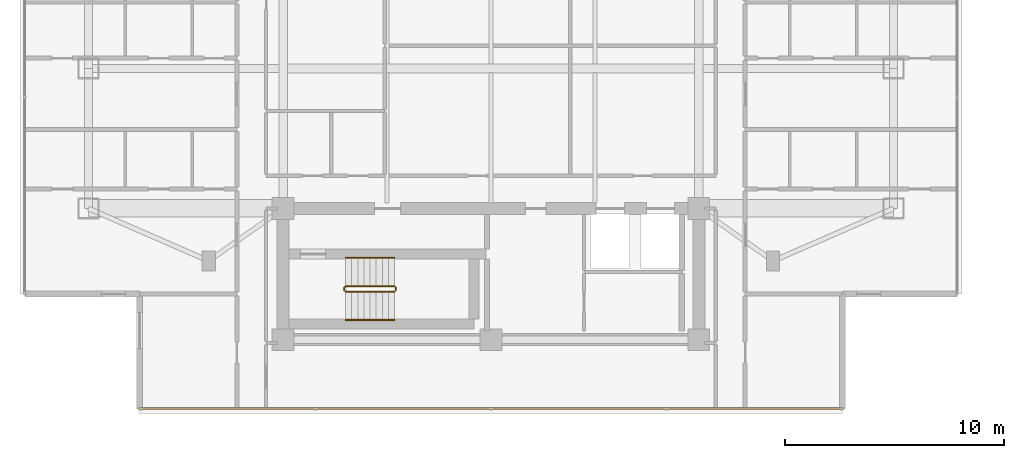
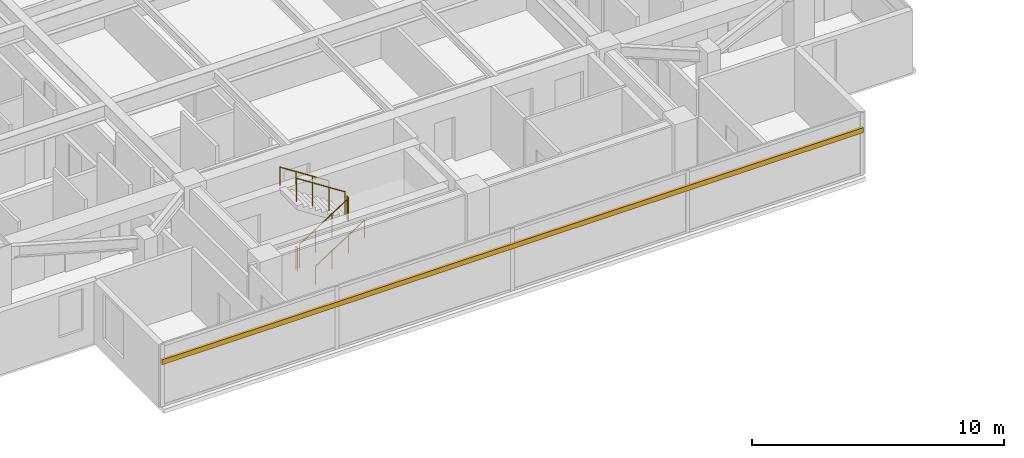
# One storey, part 20 of 25: 6 railings, 1 shading device.
"""IFC4 building model written with IfcOpenShell, lengths in metres."""

from ifc_helpers import new_model, si_unit, direction, frame, origin, origin_2d, place, context, subcontext, project, spatial, rectangle, circle, extrude, material, material_profile, profile_set, type_object, element, save


model = new_model("IFC4")

# Units and contexts
model_context = context("Model", 3, precision=1e-05, world=origin(), true_north=direction((0.0, 1.0)))
body_context = subcontext(model_context, "Body", "Model", "MODEL_VIEW")
ifc_project = project(units=[si_unit("LENGTHUNIT", "METRE"), si_unit("AREAUNIT", "SQUARE_METRE"), si_unit("VOLUMEUNIT", "CUBIC_METRE"), si_unit("PLANEANGLEUNIT", "RADIAN"), si_unit("MASSUNIT", "GRAM", prefix="KILO")], contexts=[model_context])

# Site, building, storey
site_placement = place(None, origin())
site = spatial("IfcSite", under=ifc_project, at=site_placement, CompositionType="ELEMENT")
building_placement = place(site_placement, origin())
building = spatial("IfcBuilding", under=site, at=building_placement, Name="Mirazonda Arch Towers", CompositionType="ELEMENT")
storey_placement = place(building_placement, frame((0.0, 0.0, 173.89990234375)))
storey = spatial("IfcBuildingStorey", under=building, at=storey_placement, Name="L49", CompositionType="ELEMENT", Elevation=173.89990234375)

# Shading device
ifc_material_1 = material(Name="Kiln-Fired Architectural Terracotta", Category="masonry")
ifc_material_profile = material_profile(ifc_material_1, rectangle(XDim=0.1201171875, YDim=0.239990234375, at=origin_2d()), Name="TERRA-BAG-120x240")
ifc_profile_set = profile_set([ifc_material_profile], Name="Kiln-Fired Architectural Terracotta")
shading_device_type = type_object("IfcShadingDeviceType", Name="BAGUETTE-1", PredefinedType="USERDEFINED", material=ifc_profile_set)
shading_device_placement = place(storey_placement, frame((36.56494140625, 9.241943359375, 2.181640625), z_axis=(-1.0, 0.0, 0.0), x_axis=(0.0, -1.0, 0.0)))
element("IfcShadingDevice", 1, at=shading_device_placement, inside=storey, type_object=shading_device_type, Name="L49 Glazed Terracotta Sun-Screen Baguette CW-L49-T1-S", ObjectType="BAGUETTE", PredefinedType="USERDEFINED", context=body_context, shape_type="SweptSolid", body=[
    extrude(rectangle(XDim=0.1201171875, YDim=0.239990234375, at=origin_2d()), origin(), (0.0, 0.0, 1.0), 32.1298828125),
])

# Railings
ifc_material_2 = material(Name="Architectural Brushed Steel S355", Category="steel")
railing_type_1 = type_object("IfcRailingType", Name="GUARD-STAIR-1120", PredefinedType="GUARDRAIL", material=ifc_material_2)
railing_1_placement = place(storey_placement, frame((13.85009765625, 14.60009765625, 0.1806640625)))
element("IfcRailing", 2, at=railing_1_placement, inside=storey, type_object=railing_type_1, Name="L49 ST-T1S stair guard 1", PredefinedType="GUARDRAIL", context=body_context, shape_type="SweptSolid", body=[
    extrude(circle(Radius=0.02392578125, at=origin_2d()), frame((0.0, 0.0, 1.1259765625), z_axis=(0.840436612492, 0.0, 0.541909863706), x_axis=(0.0, 1.0, 0.0)), (0.0, 0.0, 1.0), 2.665283203125),
    extrude(circle(Radius=0.02099609375, at=origin_2d()), origin(), (0.0, 0.0, 1.0), 1.101806640625),
    extrude(circle(Radius=0.02099609375, at=origin_2d()), frame((0.74658203125, 0.0, 0.4814453125)), (0.0, 0.0, 1.0), 1.101806640625),
    extrude(circle(Radius=0.02099609375, at=origin_2d()), frame((1.493408203125, 0.0, 0.962890625)), (0.0, 0.0, 1.0), 1.101806640625),
    extrude(circle(Radius=0.02099609375, at=origin_2d()), frame((2.239990234375, 0.0, 1.4443359375)), (0.0, 0.0, 1.0), 1.101806640625),
])
railing_2_placement = place(storey_placement, frame((16.139892578125, 14.64990234375, 1.625)))
element("IfcRailing", 3, at=railing_2_placement, inside=storey, type_object=railing_type_1, Name="L49 ST-T1S stair guard 2", PredefinedType="GUARDRAIL", context=body_context, shape_type="SweptSolid", body=[
    extrude(circle(Radius=0.02392578125, at=origin_2d()), frame((0.0, 0.0, 1.1259765625), z_axis=(0.0, 1.0, 0.0), x_axis=(-1.0, 0.0, 0.0)), (0.0, 0.0, 1.0), 0.14013671875),
    extrude(circle(Radius=0.02099609375, at=origin_2d()), origin(), (0.0, 0.0, 1.0), 1.101806640625),
    extrude(circle(Radius=0.02099609375, at=origin_2d()), frame((0.0, 0.14013671875, 0.0)), (0.0, 0.0, 1.0), 1.101806640625),
])
railing_3_placement = place(storey_placement, frame((16.090087890625, 14.840087890625, 1.8056640625)))
element("IfcRailing", 4, at=railing_3_placement, inside=storey, type_object=railing_type_1, Name="L49 ST-T1S stair guard 3", PredefinedType="GUARDRAIL", context=body_context, shape_type="SweptSolid", body=[
    extrude(circle(Radius=0.02392578125, at=origin_2d()), frame((0.0, 0.0, 1.1259765625), z_axis=(-0.840436612492, 0.0, 0.541909863706), x_axis=(0.0, -1.0, 0.0)), (0.0, 0.0, 1.0), 2.665283203125),
    extrude(circle(Radius=0.02099609375, at=origin_2d()), origin(), (0.0, 0.0, 1.0), 1.101806640625),
    extrude(circle(Radius=0.02099609375, at=origin_2d()), frame((-0.74658203125, 0.0, 0.4814453125)), (0.0, 0.0, 1.0), 1.101806640625),
    extrude(circle(Radius=0.02099609375, at=origin_2d()), frame((-1.493408203125, 0.0, 0.962890625)), (0.0, 0.0, 1.0), 1.101806640625),
    extrude(circle(Radius=0.02099609375, at=origin_2d()), frame((-2.239990234375, 0.0, 1.4443359375)), (0.0, 0.0, 1.0), 1.101806640625),
])
railing_4_placement = place(storey_placement, frame((13.800048828125, 14.64990234375, 0.0)))
element("IfcRailing", 5, at=railing_4_placement, inside=storey, type_object=railing_type_1, Name="L49 ST-T1S stair guard 4", PredefinedType="GUARDRAIL", context=body_context, shape_type="SweptSolid", body=[
    extrude(circle(Radius=0.02392578125, at=origin_2d()), frame((0.0, 0.0, 1.1259765625), z_axis=(0.0, 1.0, 0.0), x_axis=(-1.0, 0.0, 0.0)), (0.0, 0.0, 1.0), 0.14013671875),
    extrude(circle(Radius=0.02099609375, at=origin_2d()), origin(), (0.0, 0.0, 1.0), 1.101806640625),
    extrude(circle(Radius=0.02099609375, at=origin_2d()), frame((0.0, 0.14013671875, 0.0)), (0.0, 0.0, 1.0), 1.101806640625),
])
railing_type_2 = type_object("IfcRailingType", Name="HANDRAIL-915", PredefinedType="HANDRAIL", material=ifc_material_2)
railing_5_placement = place(storey_placement, frame((13.85009765625, 13.300048828125, 0.1806640625)))
element("IfcRailing", 6, at=railing_5_placement, inside=storey, type_object=railing_type_2, Name="L49 ST-T1S stair handrail 1", PredefinedType="HANDRAIL", context=body_context, shape_type="SweptSolid", body=[
    extrude(circle(Radius=0.02392578125, at=origin_2d()), frame((0.0, 0.0, 0.8759765625), z_axis=(0.840436612492, 0.0, 0.541909863706), x_axis=(0.0, 1.0, 0.0)), (0.0, 0.0, 1.0), 2.665283203125),
    extrude(circle(Radius=0.02099609375, at=origin_2d()), origin(), (0.0, 0.0, 1.0), 0.851806640625),
    extrude(circle(Radius=0.02099609375, at=origin_2d()), frame((0.74658203125, 0.0, 0.4814453125)), (0.0, 0.0, 1.0), 0.851806640625),
    extrude(circle(Radius=0.02099609375, at=origin_2d()), frame((1.493408203125, 0.0, 0.962890625)), (0.0, 0.0, 1.0), 0.851806640625),
    extrude(circle(Radius=0.02099609375, at=origin_2d()), frame((2.239990234375, 0.0, 1.4443359375)), (0.0, 0.0, 1.0), 0.851806640625),
])
railing_6_placement = place(storey_placement, frame((16.090087890625, 16.139892578125, 1.8056640625)))
element("IfcRailing", 7, at=railing_6_placement, inside=storey, type_object=railing_type_2, Name="L49 ST-T1S stair handrail 2", PredefinedType="HANDRAIL", context=body_context, shape_type="SweptSolid", body=[
    extrude(circle(Radius=0.02392578125, at=origin_2d()), frame((0.0, 0.0, 0.8759765625), z_axis=(-0.840436612492, 0.0, 0.541909863706), x_axis=(0.0, -1.0, 0.0)), (0.0, 0.0, 1.0), 2.665283203125),
    extrude(circle(Radius=0.02099609375, at=origin_2d()), origin(), (0.0, 0.0, 1.0), 0.851806640625),
    extrude(circle(Radius=0.02099609375, at=origin_2d()), frame((-0.74658203125, 0.0, 0.4814453125)), (0.0, 0.0, 1.0), 0.851806640625),
    extrude(circle(Radius=0.02099609375, at=origin_2d()), frame((-1.493408203125, 0.0, 0.962890625)), (0.0, 0.0, 1.0), 0.851806640625),
    extrude(circle(Radius=0.02099609375, at=origin_2d()), frame((-2.239990234375, 0.0, 1.4443359375)), (0.0, 0.0, 1.0), 0.851806640625),
])

save(model, "model.ifc")
